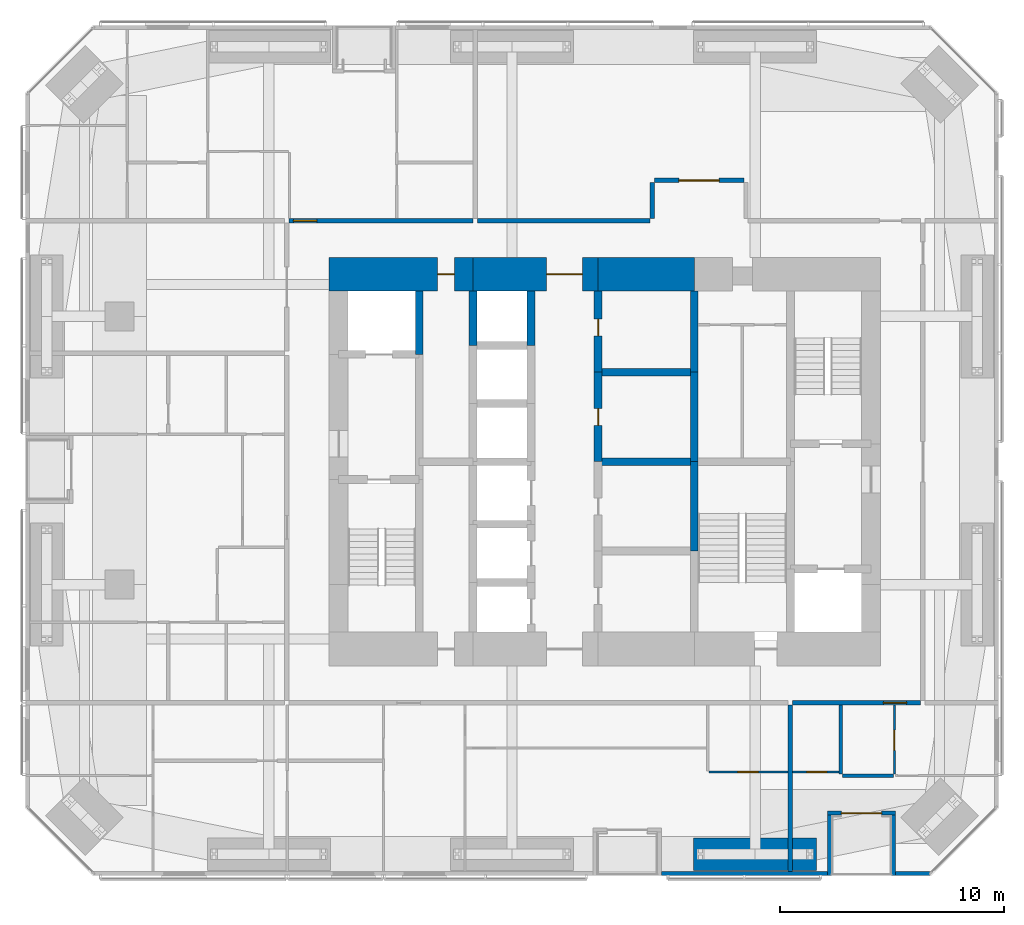
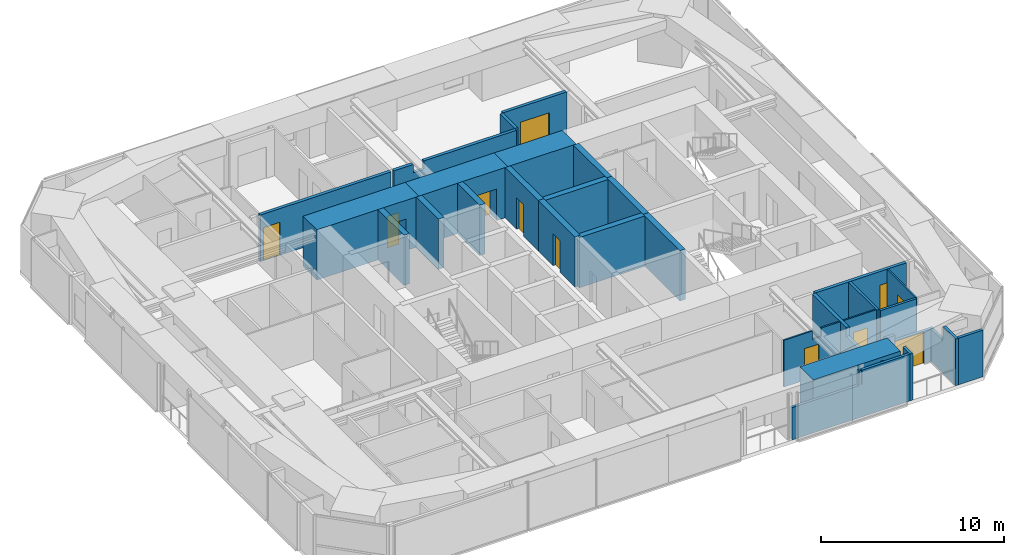
# One storey, part 20 of 24: 31 walls, 11 doors, 11 openings.
"""IFC4 building model written with IfcOpenShell, lengths in metres."""

from ifc_helpers import new_model, si_unit, direction, frame, frame_2d, origin, place, context, subcontext, project, spatial, polyline, rectangle, outline, extrude, material, layer, layer_set, constituent, constituent_set, type_object, element, fill, save


model = new_model("IFC4")

# Units and contexts
model_context = context("Model", 3, precision=1e-05, world=origin(), true_north=direction((0.0, 1.0)))
body_context = subcontext(model_context, "Body", "Model", "MODEL_VIEW")
ifc_project = project(units=[si_unit("LENGTHUNIT", "METRE"), si_unit("AREAUNIT", "SQUARE_METRE"), si_unit("VOLUMEUNIT", "CUBIC_METRE"), si_unit("PLANEANGLEUNIT", "RADIAN"), si_unit("MASSUNIT", "GRAM", prefix="KILO")], contexts=[model_context])

# Site, building, storey
site_placement = place(None, origin())
site = spatial("IfcSite", under=ifc_project, at=site_placement, CompositionType="ELEMENT")
building_placement = place(site_placement, origin())
building = spatial("IfcBuilding", under=site, at=building_placement, Name="Jalousie Tower", CompositionType="ELEMENT")
storey_placement = place(building_placement, frame((0.0, 0.0, 135.0)))
storey = spatial("IfcBuildingStorey", under=building, at=storey_placement, Name="L37", CompositionType="ELEMENT", Elevation=135.0)

# Walls
ifc_material_1 = material(Name="Concrete block ASTM C90", Category="concrete")
ifc_constituent_1 = constituent(ifc_material_1, Name="Body")
ifc_material_2 = material(Name="Render")
ifc_constituent_2 = constituent(ifc_material_2, Name="Finish")
ifc_constituent_set_1 = constituent_set(constituents=[ifc_constituent_1, ifc_constituent_2])
wall_type_1 = type_object("IfcWallType", Name="BATHROOM WALL 150", PredefinedType="PLUMBINGWALL", material=ifc_constituent_set_1)
wall_1_placement = place(storey_placement, frame((42.52490234375, 4.4638671875, 0.0), z_axis=(0.0, 0.0, 1.0), x_axis=(1.0, 0.0, 0.0)))
element("IfcWall", 1, at=wall_1_placement, inside=storey, type_object=wall_type_1, Name="Bathroom Wall 150 L37", PredefinedType="PLUMBINGWALL", context=body_context, shape_type="SweptSolid", body=[
    extrude(rectangle(XDim=2.275146484375, YDim=0.14990234375, at=frame_2d((1.1376953125, 0.0))), origin(), (0.0, 0.0, 1.0), 3.110107421875),
])
wall_2_placement = place(storey_placement, frame((42.449951171875, 4.538818359375, 0.0), z_axis=(0.0, 0.0, 1.0), x_axis=(0.0, 1.0, 0.0)))
element("IfcWall", 2, at=wall_2_placement, inside=storey, type_object=wall_type_1, Name="Bathroom Wall 150 L37", PredefinedType="PLUMBINGWALL", context=body_context, shape_type="SweptSolid", body=[
    extrude(rectangle(XDim=3.086181640625, YDim=0.14990234375, at=frame_2d((1.54296875, 0.0))), origin(), (0.0, 0.0, 1.0), 3.110107421875),
])
ifc_material_3 = material(Name="Concrete f'c 120 MPa", Category="concrete")
ifc_layer_1 = layer(ifc_material_3, 1.5)
ifc_layer_set_1 = layer_set([ifc_layer_1], Name="Concrete f'c 120 MPa")
wall_type_2 = type_object("IfcWallType", Name="CORE WALL 1500", PredefinedType="SHEAR", material=ifc_layer_set_1)
wall_3_placement = place(storey_placement, frame((35.89990234375, 26.875, 0.0), z_axis=(0.0, 0.0, 1.0), x_axis=(-1.0, 0.0, 0.0)))
element("IfcWall", 3, at=wall_3_placement, inside=storey, type_object=wall_type_2, Name="Core wall NB L37", PredefinedType="SHEAR", context=body_context, shape_type="SweptSolid", body=[
    extrude(rectangle(XDim=4.2998046875, YDim=1.5, at=frame_2d((2.14990234375, 0.0))), origin(), (0.0, 0.0, 1.0), 3.35009765625),
])

# Wall, opening, door
wall_4_placement = place(storey_placement, frame((31.60009765625, 26.875, 0.0), z_axis=(0.0, 0.0, 1.0), x_axis=(-1.0, 0.0, 0.0)))
wall_4 = element("IfcWall", 4, at=wall_4_placement, inside=storey, type_object=wall_type_2, Name="Core wall NC L37", PredefinedType="SHEAR", context=body_context, shape_type="SweptSolid", body=[
    extrude(rectangle(XDim=5.60009765625, YDim=1.5, at=frame_2d((2.800048828125, 0.0))), origin(), (0.0, 0.0, 1.0), 3.35009765625),
])
opening_1_placement = place(wall_4_placement, frame((0.699951171875, 0.0, 0.0)))
opening_1 = element("IfcOpeningElement", 5, at=opening_1_placement, cuts=wall_4, Name="Opening D15", PredefinedType="OPENING", context=body_context, shape_type="SweptSolid", body=[
    extrude(rectangle(XDim=1.60009765625, YDim=2.10009765625, at=frame_2d((0.800048828125, 1.050048828125))), frame((0.0, 0.760009765625, 0.0), z_axis=(0.0, -1.0, 0.0), x_axis=(1.0, 0.0, 0.0)), (0.0, 0.0, 1.0), 1.52001953125),
])
ifc_material_4 = material(Name="Steel fire door", Category="steel")
door_type_1 = type_object("IfcDoorType", Name="LIFT LOBBY DOOR 1600", OperationType="DOUBLE_DOOR_SINGLE_SWING", PredefinedType="DOOR", material=ifc_material_4)
door_1_placement = place(opening_1_placement, origin())
door_1 = element("IfcDoor", 6, at=door_1_placement, inside=storey, type_object=door_type_1, Name="Lift lobby north door", OperationType="DOUBLE_DOOR_SINGLE_SWING", OverallHeight=2.10009765625, OverallWidth=1.60009765625, PredefinedType="DOOR", context=body_context, shape_type="SweptSolid", body=[
    extrude(rectangle(XDim=1.60009765625, YDim=2.10009765625, at=frame_2d((0.800048828125, 1.050048828125))), frame((0.0, 0.02490234375, 0.0), z_axis=(0.0, -1.0, 0.0), x_axis=(1.0, 0.0, 0.0)), (0.0, 0.0, 1.0), 0.050048828125),
])
fill(opening_1, door_1)

wall_5_placement = place(storey_placement, frame((26.0, 26.875, 0.0), z_axis=(0.0, 0.0, 1.0), x_axis=(-1.0, 0.0, 0.0)))
wall_5 = element("IfcWall", 7, at=wall_5_placement, inside=storey, type_object=wall_type_2, Name="Core wall ND L37", PredefinedType="SHEAR", context=body_context, shape_type="SweptSolid", body=[
    extrude(rectangle(XDim=6.425048828125, YDim=1.5, at=frame_2d((3.21240234375, 0.0))), origin(), (0.0, 0.0, 1.0), 3.35009765625),
])
opening_2_placement = place(wall_5_placement, frame((0.824951171875, 0.0, 0.0)))
opening_2 = element("IfcOpeningElement", 8, at=opening_2_placement, cuts=wall_5, Name="Opening D16", PredefinedType="OPENING", context=body_context, shape_type="SweptSolid", body=[
    extrude(rectangle(XDim=0.75, YDim=2.10009765625, at=frame_2d((0.375, 1.050048828125))), frame((0.0, 0.760009765625, 0.0), z_axis=(0.0, -1.0, 0.0), x_axis=(1.0, 0.0, 0.0)), (0.0, 0.0, 1.0), 1.52001953125),
])
ifc_material_5 = material(Name="Steel fire door", Category="steel")
door_type_2 = type_object("IfcDoorType", Name="RISER DOOR 750", OperationType="SINGLE_SWING_LEFT", PredefinedType="DOOR", material=ifc_material_5)
door_2_placement = place(opening_2_placement, origin())
door_2 = element("IfcDoor", 9, at=door_2_placement, inside=storey, type_object=door_type_2, Name="North riser door", OperationType="SINGLE_SWING_RIGHT", OverallHeight=2.10009765625, OverallWidth=0.75, PredefinedType="DOOR", context=body_context, shape_type="SweptSolid", body=[
    extrude(rectangle(XDim=0.75, YDim=2.10009765625, at=frame_2d((0.375, 1.050048828125))), frame((0.0, 0.02490234375, 0.0), z_axis=(0.0, -1.0, 0.0), x_axis=(1.0, 0.0, 0.0)), (0.0, 0.0, 1.0), 0.050048828125),
])
fill(opening_2, door_2)

# Walls
ifc_material_6 = material(Name="Concrete f'c 120 MPa", Category="concrete")
ifc_layer_2 = layer(ifc_material_6, 0.35009765625)
ifc_layer_set_2 = layer_set([ifc_layer_2], Name="Concrete f'c 120 MPa")
wall_type_3 = type_object("IfcWallType", Name="CORE WALL 350", PredefinedType="SHEAR", material=ifc_layer_set_2)
wall_6_placement = place(storey_placement, frame((23.60009765625, 23.300048828125, 0.0), z_axis=(0.0, 0.0, 1.0), x_axis=(0.0, 1.0, 0.0)))
element("IfcWall", 10, at=wall_6_placement, inside=storey, type_object=wall_type_3, Name="Core wall X23.6C L37", PredefinedType="SHEAR", context=body_context, shape_type="SweptSolid", body=[
    extrude(rectangle(XDim=2.824951171875, YDim=0.35009765625, at=frame_2d((1.41259765625, 0.0))), origin(), (0.0, 0.0, 1.0), 3.35009765625),
])
for number, where, z_axis, x_axis, name in (
    (11, (26.0, 23.699951171875, 0.0), (0.0, 0.0, 1.0), (0.0, 1.0, 0.0), "Core wall X26F L37"),
    (12, (28.60009765625, 23.699951171875, 0.0), (0.0, 0.0, 1.0), (0.0, 1.0, 0.0), "Core wall X28.6F L37"),
):
    element("IfcWall", number, at=place(storey_placement, frame(where, z_axis=z_axis, x_axis=x_axis)), inside=storey, type_object=wall_type_3, Name=name, PredefinedType="SHEAR", context=body_context, shape_type="SweptSolid", body=[
        extrude(rectangle(XDim=2.425048828125, YDim=0.35009765625, at=frame_2d((1.21240234375, 0.0))), origin(), (0.0, 0.0, 1.0), 3.35009765625),
    ])

# Wall, opening, door
wall_7_placement = place(storey_placement, frame((31.60009765625, 18.5, 0.0), z_axis=(0.0, 0.0, 1.0), x_axis=(0.0, 1.0, 0.0)))
wall_7 = element("IfcWall", 13, at=wall_7_placement, inside=storey, type_object=wall_type_3, Name="Core wall X31.6C L37", PredefinedType="SHEAR", context=body_context, shape_type="SweptSolid", body=[
    extrude(rectangle(XDim=4.0, YDim=0.35009765625, at=frame_2d((2.0, 0.0))), origin(), (0.0, 0.0, 1.0), 3.35009765625),
])
opening_3_placement = place(wall_7_placement, frame((1.625, 0.0, 0.0)))
opening_3 = element("IfcOpeningElement", 14, at=opening_3_placement, cuts=wall_7, Name="Opening D16", PredefinedType="OPENING", context=body_context, shape_type="SweptSolid", body=[
    extrude(rectangle(XDim=0.75, YDim=2.10009765625, at=frame_2d((0.375, 1.050048828125))), frame((0.0, 0.18505859375, 0.0), z_axis=(0.0, -1.0, 0.0), x_axis=(1.0, 0.0, 0.0)), (0.0, 0.0, 1.0), 0.3701171875),
])
door_3_placement = place(opening_3_placement, frame((0.75, 0.0, 0.0), z_axis=(0.0, 0.0, 1.0), x_axis=(-1.0, 0.0, 0.0)))
door_3 = element("IfcDoor", 15, at=door_3_placement, inside=storey, type_object=door_type_2, Name="Telecom Room door", OperationType="SINGLE_SWING_RIGHT", OverallHeight=2.10009765625, OverallWidth=0.75, PredefinedType="DOOR", context=body_context, shape_type="SweptSolid", body=[
    extrude(rectangle(XDim=0.75, YDim=2.10009765625, at=frame_2d((0.375, 1.050048828125))), frame((0.0, 0.02490234375, 0.0), z_axis=(0.0, -1.0, 0.0), x_axis=(1.0, 0.0, 0.0)), (0.0, 0.0, 1.0), 0.050048828125),
])
fill(opening_3, door_3)

wall_8_placement = place(storey_placement, frame((31.60009765625, 22.5, 0.0), z_axis=(0.0, 0.0, 1.0), x_axis=(0.0, 1.0, 0.0)))
wall_8 = element("IfcWall", 16, at=wall_8_placement, inside=storey, type_object=wall_type_3, Name="Core wall X31.6D L37", PredefinedType="SHEAR", context=body_context, shape_type="SweptSolid", body=[
    extrude(rectangle(XDim=3.625, YDim=0.35009765625, at=frame_2d((1.8125, 0.0))), origin(), (0.0, 0.0, 1.0), 3.35009765625),
])
opening_4_placement = place(wall_8_placement, frame((1.625, 0.0, 0.0)))
opening_4 = element("IfcOpeningElement", 17, at=opening_4_placement, cuts=wall_8, Name="Opening D16", PredefinedType="OPENING", context=body_context, shape_type="SweptSolid", body=[
    extrude(rectangle(XDim=0.75, YDim=2.10009765625, at=frame_2d((0.375, 1.050048828125))), frame((0.0, 0.18505859375, 0.0), z_axis=(0.0, -1.0, 0.0), x_axis=(1.0, 0.0, 0.0)), (0.0, 0.0, 1.0), 0.3701171875),
])
door_4_placement = place(opening_4_placement, frame((0.75, 0.0, 0.0), z_axis=(0.0, 0.0, 1.0), x_axis=(-1.0, 0.0, 0.0)))
door_4 = element("IfcDoor", 18, at=door_4_placement, inside=storey, type_object=door_type_2, Name="Water Services Room door", OperationType="SINGLE_SWING_LEFT", OverallHeight=2.10009765625, OverallWidth=0.75, PredefinedType="DOOR", context=body_context, shape_type="SweptSolid", body=[
    extrude(rectangle(XDim=0.75, YDim=2.10009765625, at=frame_2d((0.375, 1.050048828125))), frame((0.0, 0.02490234375, 0.0), z_axis=(0.0, -1.0, 0.0), x_axis=(1.0, 0.0, 0.0)), (0.0, 0.0, 1.0), 0.050048828125),
])
fill(opening_4, door_4)

# Walls
for number, where, z_axis, x_axis, name in (
    (19, (35.89990234375, 14.5, 0.0), (0.0, 0.0, 1.0), (0.0, 1.0, 0.0), "Core wall X35.9B L37"),
    (20, (35.89990234375, 18.5, 0.0), (0.0, 0.0, 1.0), (0.0, 1.0, 0.0), "Core wall X35.9C L37"),
):
    element("IfcWall", number, at=place(storey_placement, frame(where, z_axis=z_axis, x_axis=x_axis)), inside=storey, type_object=wall_type_3, Name=name, PredefinedType="SHEAR", context=body_context, shape_type="SweptSolid", body=[
        extrude(rectangle(XDim=4.0, YDim=0.35009765625, at=frame_2d((2.0, 0.0))), origin(), (0.0, 0.0, 1.0), 3.35009765625),
    ])
wall_9_placement = place(storey_placement, frame((35.89990234375, 22.5, 0.0), z_axis=(0.0, 0.0, 1.0), x_axis=(0.0, 1.0, 0.0)))
element("IfcWall", 21, at=wall_9_placement, inside=storey, type_object=wall_type_3, Name="Core wall X35.9D L37", PredefinedType="SHEAR", context=body_context, shape_type="SweptSolid", body=[
    extrude(rectangle(XDim=3.625, YDim=0.35009765625, at=frame_2d((1.8125, 0.0))), origin(), (0.0, 0.0, 1.0), 3.35009765625),
])
for number, where, z_axis, x_axis, name in (
    (22, (31.60009765625, 18.5, 0.0), (0.0, 0.0, 1.0), (1.0, 0.0, 0.0), "Core wall Y31.6-18.5 L37"),
    (23, (31.60009765625, 22.5, 0.0), (0.0, 0.0, 1.0), (1.0, 0.0, 0.0), "Core wall Y31.6-22.5 L37"),
):
    element("IfcWall", number, at=place(storey_placement, frame(where, z_axis=z_axis, x_axis=x_axis)), inside=storey, type_object=wall_type_3, Name=name, PredefinedType="SHEAR", context=body_context, shape_type="SweptSolid", body=[
        extrude(rectangle(XDim=4.2998046875, YDim=0.35009765625, at=frame_2d((2.14990234375, 0.0))), origin(), (0.0, 0.0, 1.0), 3.35009765625),
    ])

# Wall, opening, door
ifc_material_7 = material(Name="Concrete block ASTM C90", Category="concrete")
ifc_constituent_3 = constituent(ifc_material_7, Name="Body")
ifc_material_8 = material(Name="Render")
ifc_constituent_4 = constituent(ifc_material_8, Name="Finish")
ifc_constituent_set_2 = constituent_set(constituents=[ifc_constituent_3, ifc_constituent_4])
wall_type_4 = type_object("IfcWallType", Name="CORRIDOR WALL 200", PredefinedType="PARTITIONING", material=ifc_constituent_set_2)
wall_10_placement = place(storey_placement, frame((40.300048828125, 7.72509765625, 0.0), z_axis=(0.0, 0.0, 1.0), x_axis=(1.0, 0.0, 0.0)))
wall_10 = element("IfcWall", 24, at=wall_10_placement, inside=storey, type_object=wall_type_4, Name="Corridor Wall 200 L37", PredefinedType="PARTITIONING", context=body_context, shape_type="SweptSolid", body=[
    extrude(rectangle(XDim=5.724853515625, YDim=0.199951171875, at=frame_2d((2.8623046875, 0.0))), origin(), (0.0, 0.0, 1.0), 3.110107421875),
])
opening_5_placement = place(wall_10_placement, frame((4.050048828125, 0.0, 0.0)))
opening_5 = element("IfcOpeningElement", 25, at=opening_5_placement, cuts=wall_10, Name="Opening D1", PredefinedType="OPENING", context=body_context, shape_type="SweptSolid", body=[
    extrude(rectangle(XDim=1.050048828125, YDim=2.199951171875, at=frame_2d((0.52490234375, 1.10009765625))), frame((0.0, 0.10986328125, 0.0), z_axis=(0.0, -1.0, 0.0), x_axis=(1.0, 0.0, 0.0)), (0.0, 0.0, 1.0), 0.219970703125),
])
ifc_material_9 = material(Name="Timber fire door", Category="wood")
door_type_3 = type_object("IfcDoorType", Name="APARTMENT ENTRANCE DOOR 1050", OperationType="SINGLE_SWING_LEFT", PredefinedType="DOOR", material=ifc_material_9)
door_5_placement = place(opening_5_placement, origin())
door_5 = element("IfcDoor", 26, at=door_5_placement, inside=storey, type_object=door_type_3, Name="Apartment 3702 entrance", OperationType="SINGLE_SWING_RIGHT", OverallHeight=2.199951171875, OverallWidth=1.050048828125, PredefinedType="DOOR", context=body_context, shape_type="SweptSolid", body=[
    extrude(rectangle(XDim=1.050048828125, YDim=2.199951171875, at=frame_2d((0.52490234375, 1.10009765625))), frame((0.0, 0.02490234375, 0.0), z_axis=(0.0, -1.0, 0.0), x_axis=(1.0, 0.0, 0.0)), (0.0, 0.0, 1.0), 0.050048828125),
])
fill(opening_5, door_5)

wall_11_placement = place(storey_placement, frame((17.77490234375, 29.27490234375, 0.0), z_axis=(0.0, 0.0, 1.0), x_axis=(1.0, 0.0, 0.0)))
wall_11 = element("IfcWall", 27, at=wall_11_placement, inside=storey, type_object=wall_type_4, Name="Corridor Wall 200 L37", PredefinedType="PARTITIONING", context=body_context, shape_type="SweptSolid", body=[
    extrude(rectangle(XDim=8.22509765625, YDim=0.199951171875, at=frame_2d((4.112548828125, 0.0))), origin(), (0.0, 0.0, 1.0), 3.110107421875),
])
opening_6_placement = place(wall_11_placement, frame((0.199951171875, 0.0, 0.0)))
opening_6 = element("IfcOpeningElement", 28, at=opening_6_placement, cuts=wall_11, Name="Opening D1", PredefinedType="OPENING", context=body_context, shape_type="SweptSolid", body=[
    extrude(rectangle(XDim=1.050048828125, YDim=2.199951171875, at=frame_2d((0.52490234375, 1.10009765625))), frame((0.0, 0.10986328125, 0.0), z_axis=(0.0, -1.0, 0.0), x_axis=(1.0, 0.0, 0.0)), (0.0, 0.0, 1.0), 0.219970703125),
])
door_6_placement = place(opening_6_placement, origin())
door_6 = element("IfcDoor", 29, at=door_6_placement, inside=storey, type_object=door_type_3, Name="Apartment 3703 entrance", OperationType="SINGLE_SWING_LEFT", OverallHeight=2.199951171875, OverallWidth=1.050048828125, PredefinedType="DOOR", context=body_context, shape_type="SweptSolid", body=[
    extrude(rectangle(XDim=1.050048828125, YDim=2.199951171875, at=frame_2d((0.52490234375, 1.10009765625))), frame((0.0, 0.02490234375, 0.0), z_axis=(0.0, -1.0, 0.0), x_axis=(1.0, 0.0, 0.0)), (0.0, 0.0, 1.0), 0.050048828125),
])
fill(opening_6, door_6)

# Wall
wall_12_placement = place(storey_placement, frame((26.199951171875, 29.27490234375, 0.0), z_axis=(0.0, 0.0, 1.0), x_axis=(1.0, 0.0, 0.0)))
element("IfcWall", 30, at=wall_12_placement, inside=storey, type_object=wall_type_4, Name="Corridor Wall 200 L37", PredefinedType="PARTITIONING", context=body_context, shape_type="SweptSolid", body=[
    extrude(outline(polyline([(0.0, 0.0), (7.712646484375, 0.0), (7.71240234375, 3.110107421875), (1.88720703125, 3.110107421875), (1.88720703125, 2.541015625), (1.212646484375, 2.541015625), (1.212646484375, 3.110107421875), (0.0, 3.110107421875), (0.0, 0.0)])), frame((0.0, 0.10009765625, 0.0), z_axis=(0.0, -1.0, 0.0), x_axis=(1.0, 0.0, 0.0)), (0.0, 0.0, 1.0), 0.199951171875),
])

# Wall, opening, door
wall_13_placement = place(storey_placement, frame((34.112548828125, 31.074951171875, 0.0), z_axis=(0.0, 0.0, 1.0), x_axis=(1.0, 0.0, 0.0)))
wall_13 = element("IfcWall", 31, at=wall_13_placement, inside=storey, type_object=wall_type_4, Name="Corridor Wall 200 L37", PredefinedType="PARTITIONING", context=body_context, shape_type="SweptSolid", body=[
    extrude(rectangle(XDim=4.0, YDim=0.199951171875, at=frame_2d((2.0, 0.0))), origin(), (0.0, 0.0, 1.0), 3.110107421875),
])
opening_7_placement = place(wall_13_placement, frame((1.10009765625, 0.0, 0.0)))
opening_7 = element("IfcOpeningElement", 32, at=opening_7_placement, cuts=wall_13, Name="Opening D22", PredefinedType="OPENING", context=body_context, shape_type="SweptSolid", body=[
    extrude(rectangle(XDim=1.800048828125, YDim=2.10009765625, at=frame_2d((0.89990234375, 1.050048828125))), frame((0.0, 0.10986328125, 0.0), z_axis=(0.0, -1.0, 0.0), x_axis=(1.0, 0.0, 0.0)), (0.0, 0.0, 1.0), 0.219970703125),
])
ifc_material_10 = material(Name="Timber fire door", Category="wood")
door_type_4 = type_object("IfcDoorType", Name="CORRIDOR DOUBLE DOOR 1800", OperationType="DOUBLE_DOOR_SINGLE_SWING", PredefinedType="DOOR", material=ifc_material_10)
door_7_placement = place(opening_7_placement, origin())
door_7 = element("IfcDoor", 33, at=door_7_placement, inside=storey, type_object=door_type_4, Name="Residents' bay-view lounge door", OperationType="DOUBLE_DOOR_SINGLE_SWING", OverallHeight=2.10009765625, OverallWidth=1.800048828125, PredefinedType="DOOR", context=body_context, shape_type="SweptSolid", body=[
    extrude(rectangle(XDim=1.800048828125, YDim=2.10009765625, at=frame_2d((0.89990234375, 1.050048828125))), frame((0.0, 0.02490234375, 0.0), z_axis=(0.0, -1.0, 0.0), x_axis=(1.0, 0.0, 0.0)), (0.0, 0.0, 1.0), 0.050048828125),
])
fill(opening_7, door_7)

# Walls
wall_14_placement = place(storey_placement, frame((34.012451171875, 29.375, 0.0), z_axis=(0.0, 0.0, 1.0), x_axis=(0.0, 1.0, 0.0)))
element("IfcWall", 34, at=wall_14_placement, inside=storey, type_object=wall_type_4, Name="Corridor Wall 200 L37", PredefinedType="PARTITIONING", context=body_context, shape_type="SweptSolid", body=[
    extrude(rectangle(XDim=1.60009765625, YDim=0.199951171875, at=frame_2d((0.800048828125, 0.0))), origin(), (0.0, 0.0, 1.0), 3.110107421875),
])
ifc_material_11 = material(Name="Concrete f'c 40 MPa", Category="concrete")
ifc_constituent_5 = constituent(ifc_material_11, Name="Body")
ifc_material_12 = material(Name="Render, pastel sea green")
ifc_constituent_6 = constituent(ifc_material_12, Name="Finish")
ifc_constituent_set_3 = constituent_set(constituents=[ifc_constituent_5, ifc_constituent_6])
wall_type_5 = type_object("IfcWallType", Name="EXTERNAL WALL 175 SEA GREEN RENDER", PredefinedType="SOLIDWALL", material=ifc_constituent_set_3)
wall_15_placement = place(storey_placement, frame((34.425048828125, 0.08740234375, 0.0), z_axis=(0.0, 0.0, 1.0), x_axis=(1.0, 0.0, 0.0)))
element("IfcWall", 35, at=wall_15_placement, inside=storey, type_object=wall_type_5, Name="External Wall 175 Sea Green Render L37", PredefinedType="SOLIDWALL", context=body_context, shape_type="SweptSolid", body=[
    extrude(outline(polyline([(0.0, 0.0), (7.425048828125, 0.0), (7.425048828125, 3.110107421875), (4.4033203125, 3.110107421875), (4.4033203125, 2.14990234375), (4.358154296875, 2.14990234375), (4.358154296875, 3.110107421875), (4.199951171875, 3.110107421875), (4.199951171875, 2.14990234375), (0.0, 2.14990234375), (0.0, 0.0)])), frame((0.0, 0.08740234375, 0.0), z_axis=(0.0, -1.0, 0.0), x_axis=(1.0, 0.0, 0.0)), (0.0, 0.0, 1.0), 0.175048828125),
])
wall_16_placement = place(storey_placement, frame((44.89990234375, 0.08740234375, 0.0), z_axis=(0.0, 0.0, 1.0), x_axis=(1.0, 0.0, 0.0)))
element("IfcWall", 36, at=wall_16_placement, inside=storey, type_object=wall_type_5, Name="External Wall 175 Sea Green Render L37", PredefinedType="SOLIDWALL", context=body_context, shape_type="SweptSolid", body=[
    extrude(rectangle(XDim=1.548828125, YDim=0.175048828125, at=frame_2d((0.7744140625, 0.0))), origin(), (0.0, 0.0, 1.0), 3.110107421875),
])
wall_17_placement = place(storey_placement, frame((41.85009765625, 2.78759765625, 0.0), z_axis=(0.0, 0.0, 1.0), x_axis=(1.0, 0.0, 0.0)))
element("IfcWall", 37, at=wall_17_placement, inside=storey, type_object=wall_type_5, Name="External Wall 175 Sea Green Render L37-A", PredefinedType="SOLIDWALL", context=body_context, shape_type="SweptSolid", body=[
    extrude(rectangle(XDim=0.625, YDim=0.175048828125, at=frame_2d((0.3125, 0.0))), origin(), (0.0, 0.0, 1.0), 2.510009765625),
])

# Wall, opening, door
wall_18_placement = place(storey_placement, frame((42.47509765625, 2.78759765625, 0.0), z_axis=(0.0, 0.0, 1.0), x_axis=(1.0, 0.0, 0.0)))
wall_18 = element("IfcWall", 38, at=wall_18_placement, inside=storey, type_object=wall_type_5, Name="External Wall 175 Sea Green Render L37-B", PredefinedType="SOLIDWALL", context=body_context, shape_type="SweptSolid", body=[
    extrude(rectangle(XDim=2.4248046875, YDim=0.175048828125, at=frame_2d((1.21240234375, 0.0))), origin(), (0.0, 0.0, 1.0), 2.14990234375),
])
opening_8_placement = place(wall_18_placement, origin())
opening_8 = element("IfcOpeningElement", 39, at=opening_8_placement, cuts=wall_18, Name="Opening D-BAL21", PredefinedType="OPENING", context=body_context, shape_type="SweptSolid", body=[
    extrude(rectangle(XDim=1.800048828125, YDim=2.10009765625, at=frame_2d((0.89990234375, 1.050048828125))), frame((0.0, 0.097412109375, 0.0), z_axis=(0.0, -1.0, 0.0), x_axis=(1.0, 0.0, 0.0)), (0.0, 0.0, 1.0), 0.195068359375),
])
ifc_material_13 = material(Name="Aluminium frame, impact-rated glazing", Category="aluminium")
door_type_5 = type_object("IfcDoorType", Name="BALCONY DOOR 1800x2100", OperationType="SLIDING_TO_LEFT", PredefinedType="DOOR", material=ifc_material_13)
door_8_placement = place(opening_8_placement, origin())
door_8 = element("IfcDoor", 40, at=door_8_placement, inside=storey, type_object=door_type_5, Name="Apartment 3702 living and dining room loggia door", OperationType="SLIDING_TO_LEFT", OverallHeight=2.10009765625, OverallWidth=1.800048828125, PredefinedType="DOOR", context=body_context, shape_type="SweptSolid", body=[
    extrude(rectangle(XDim=1.800048828125, YDim=2.10009765625, at=frame_2d((0.89990234375, 1.050048828125))), frame((0.0, 0.02490234375, 0.0), z_axis=(0.0, -1.0, 0.0), x_axis=(1.0, 0.0, 0.0)), (0.0, 0.0, 1.0), 0.050048828125),
])
fill(opening_8, door_8)

# Walls
wall_19_placement = place(storey_placement, frame((41.9375, 0.0, 0.0), z_axis=(0.0, 0.0, 1.0), x_axis=(0.0, 1.0, 0.0)))
element("IfcWall", 41, at=wall_19_placement, inside=storey, type_object=wall_type_5, Name="External Wall 175 Sea Green Render L37", PredefinedType="SOLIDWALL", context=body_context, shape_type="SweptSolid", body=[
    extrude(outline(polyline([(0.0, 0.0), (2.699951171875, 0.0), (2.699951171875, 2.510009765625), (2.4599609375, 2.510009765625), (2.4599609375, 2.14990234375), (0.791259765625, 2.14990234375), (0.791259765625, 3.110107421875), (0.0, 3.110107421875), (0.0, 0.0)])), frame((0.0, 0.08740234375, 0.0), z_axis=(0.0, -1.0, 0.0), x_axis=(1.0, 0.0, 0.0)), (0.0, 0.0, 1.0), 0.175048828125),
])
wall_20_placement = place(storey_placement, frame((44.8125, 0.0, 0.0), z_axis=(0.0, 0.0, 1.0), x_axis=(0.0, 1.0, 0.0)))
element("IfcWall", 42, at=wall_20_placement, inside=storey, type_object=wall_type_5, Name="External Wall 175 Sea Green Render L37", PredefinedType="SOLIDWALL", context=body_context, shape_type="SweptSolid", body=[
    extrude(outline(polyline([(0.0, 0.0), (2.699951171875, 0.0), (2.699951171875, 2.14990234375), (1.377685546875, 2.14990234375), (1.377685546875, 3.110107421875), (0.0, 3.110107421875), (0.0, 0.0)])), frame((0.0, 0.08740234375, 0.0), z_axis=(0.0, -1.0, 0.0), x_axis=(1.0, 0.0, 0.0)), (0.0, 0.0, 1.0), 0.175048828125),
])

# Wall, opening, door
ifc_material_14 = material(Name="Gypsum board", Category="gypsum")
ifc_constituent_7 = constituent(ifc_material_14, Name="Body")
ifc_material_15 = material(Name="Light-gauge steel studs ASTM A653 SS Grade 33", Category="steel")
ifc_constituent_8 = constituent(ifc_material_15, Name="Framing")
ifc_constituent_set_4 = constituent_set(constituents=[ifc_constituent_7, ifc_constituent_8])
wall_type_6 = type_object("IfcWallType", Name="PARTITION 100", PredefinedType="PARTITIONING", material=ifc_constituent_set_4)
wall_21_placement = place(storey_placement, frame((36.550048828125, 4.625, 0.0), z_axis=(0.0, 0.0, 1.0), x_axis=(1.0, 0.0, 0.0)))
wall_21 = element("IfcWall", 43, at=wall_21_placement, inside=storey, type_object=wall_type_6, Name="Partition 100 L37", PredefinedType="PARTITIONING", context=body_context, shape_type="SweptSolid", body=[
    extrude(outline(polyline([(0.0, 0.0), (3.550048828125, 0.0), (3.550048828125, 3.110107421875), (2.3623046875, 3.110107421875), (2.3623046875, 2.541015625), (1.78759765625, 2.541015625), (1.78759765625, 3.110107421875), (0.0, 3.110107421875), (0.0, 0.0)])), frame((0.0, 0.050048828125, 0.0), z_axis=(0.0, -1.0, 0.0), x_axis=(1.0, 0.0, 0.0)), (0.0, 0.0, 1.0), 0.10009765625),
])
opening_9_placement = place(wall_21_placement, frame((1.300048828125, 0.0, 0.0)))
opening_9 = element("IfcOpeningElement", 44, at=opening_9_placement, cuts=wall_21, Name="Opening D7", PredefinedType="OPENING", context=body_context, shape_type="SweptSolid", body=[
    extrude(rectangle(XDim=0.89990234375, YDim=2.10009765625, at=frame_2d((0.449951171875, 1.050048828125))), frame((0.0, 0.06005859375, 0.0), z_axis=(0.0, -1.0, 0.0), x_axis=(1.0, 0.0, 0.0)), (0.0, 0.0, 1.0), 0.1201171875),
])
ifc_material_16 = material(Name="Timber door", Category="wood")
door_type_6 = type_object("IfcDoorType", Name="INTERNAL DOOR 900", OperationType="SINGLE_SWING_LEFT", PredefinedType="DOOR", material=ifc_material_16)
door_9_placement = place(opening_9_placement, frame((0.89990234375, 0.0, 0.0), z_axis=(0.0, 0.0, 1.0), x_axis=(-1.0, 0.0, 0.0)))
door_9 = element("IfcDoor", 45, at=door_9_placement, inside=storey, type_object=door_type_6, Name="Apartment 3701 kitchen door", OperationType="SINGLE_SWING_LEFT", OverallHeight=2.10009765625, OverallWidth=0.89990234375, PredefinedType="DOOR", context=body_context, shape_type="SweptSolid", body=[
    extrude(rectangle(XDim=0.89990234375, YDim=2.10009765625, at=frame_2d((0.449951171875, 1.050048828125))), frame((0.0, 0.02490234375, 0.0), z_axis=(0.0, -1.0, 0.0), x_axis=(1.0, 0.0, 0.0)), (0.0, 0.0, 1.0), 0.050048828125),
])
fill(opening_9, door_9)

wall_22_placement = place(storey_placement, frame((44.85009765625, 4.538818359375, 0.0), z_axis=(0.0, 0.0, 1.0), x_axis=(0.0, 1.0, 0.0)))
wall_22 = element("IfcWall", 46, at=wall_22_placement, inside=storey, type_object=wall_type_6, Name="Partition 100 L37", PredefinedType="PARTITIONING", context=body_context, shape_type="SweptSolid", body=[
    extrude(rectangle(XDim=3.086181640625, YDim=0.10009765625, at=frame_2d((1.54296875, 0.0))), origin(), (0.0, 0.0, 1.0), 3.110107421875),
])
opening_10_placement = place(wall_22_placement, frame((1.0556640625, 0.0, 0.0)))
opening_10 = element("IfcOpeningElement", 47, at=opening_10_placement, cuts=wall_22, Name="Opening D3", PredefinedType="OPENING", context=body_context, shape_type="SweptSolid", body=[
    extrude(rectangle(XDim=0.89990234375, YDim=2.10009765625, at=frame_2d((0.449951171875, 1.050048828125))), frame((0.0, 0.06005859375, 0.0), z_axis=(0.0, -1.0, 0.0), x_axis=(1.0, 0.0, 0.0)), (0.0, 0.0, 1.0), 0.1201171875),
])
ifc_material_17 = material(Name="Timber door", Category="wood")
door_type_7 = type_object("IfcDoorType", Name="BATHROOM DOOR 900", OperationType="SINGLE_SWING_LEFT", PredefinedType="DOOR", material=ifc_material_17)
door_10_placement = place(opening_10_placement, origin())
door_10 = element("IfcDoor", 48, at=door_10_placement, inside=storey, type_object=door_type_7, Name="Apartment 3702 bedroom 1 bathroom door", OperationType="SINGLE_SWING_LEFT", OverallHeight=2.10009765625, OverallWidth=0.89990234375, PredefinedType="DOOR", context=body_context, shape_type="SweptSolid", body=[
    extrude(rectangle(XDim=0.89990234375, YDim=2.10009765625, at=frame_2d((0.449951171875, 1.050048828125))), frame((0.0, 0.02490234375, 0.0), z_axis=(0.0, -1.0, 0.0), x_axis=(1.0, 0.0, 0.0)), (0.0, 0.0, 1.0), 0.050048828125),
])
fill(opening_10, door_10)

wall_23_placement = place(storey_placement, frame((40.300048828125, 4.625, 0.0), z_axis=(0.0, 0.0, 1.0), x_axis=(1.0, 0.0, 0.0)))
wall_23 = element("IfcWall", 49, at=wall_23_placement, inside=storey, type_object=wall_type_6, Name="Partition 100 L37", PredefinedType="PARTITIONING", context=body_context, shape_type="SweptSolid", body=[
    extrude(rectangle(XDim=2.074951171875, YDim=0.10009765625, at=frame_2d((1.03759765625, 0.0))), origin(), (0.0, 0.0, 1.0), 3.110107421875),
])
opening_11_placement = place(wall_23_placement, frame((0.625, 0.0, 0.0)))
opening_11 = element("IfcOpeningElement", 50, at=opening_11_placement, cuts=wall_23, Name="Opening D7", PredefinedType="OPENING", context=body_context, shape_type="SweptSolid", body=[
    extrude(rectangle(XDim=0.89990234375, YDim=2.10009765625, at=frame_2d((0.449951171875, 1.050048828125))), frame((0.0, 0.06005859375, 0.0), z_axis=(0.0, -1.0, 0.0), x_axis=(1.0, 0.0, 0.0)), (0.0, 0.0, 1.0), 0.1201171875),
])
door_11_placement = place(opening_11_placement, frame((0.89990234375, 0.0, 0.0), z_axis=(0.0, 0.0, 1.0), x_axis=(-1.0, 0.0, 0.0)))
door_11 = element("IfcDoor", 51, at=door_11_placement, inside=storey, type_object=door_type_6, Name="Apartment 3702 kitchen door", OperationType="SINGLE_SWING_RIGHT", OverallHeight=2.10009765625, OverallWidth=0.89990234375, PredefinedType="DOOR", context=body_context, shape_type="SweptSolid", body=[
    extrude(rectangle(XDim=0.89990234375, YDim=2.10009765625, at=frame_2d((0.449951171875, 1.050048828125))), frame((0.0, 0.02490234375, 0.0), z_axis=(0.0, -1.0, 0.0), x_axis=(1.0, 0.0, 0.0)), (0.0, 0.0, 1.0), 0.050048828125),
])
fill(opening_11, door_11)

# Walls
ifc_material_18 = material(Name="Concrete block ASTM C90", Category="concrete")
ifc_constituent_9 = constituent(ifc_material_18, Name="Body")
ifc_material_19 = material(Name="Render")
ifc_constituent_10 = constituent(ifc_material_19, Name="Finish")
ifc_constituent_set_5 = constituent_set(constituents=[ifc_constituent_9, ifc_constituent_10])
wall_type_7 = type_object("IfcWallType", Name="PARTY WALL 200", PredefinedType="PARTITIONING", material=ifc_constituent_set_5)
wall_24_placement = place(storey_placement, frame((40.199951171875, 0.175048828125, 0.0), z_axis=(0.0, 0.0, 1.0), x_axis=(0.0, 1.0, 0.0)))
element("IfcWall", 52, at=wall_24_placement, inside=storey, type_object=wall_type_7, Name="Party Wall 200 L37", PredefinedType="PARTITIONING", context=body_context, shape_type="SweptSolid", body=[
    extrude(outline(polyline([(0.16748046875, 3.110107421875), (0.0, 3.110107421875), (0.0, 0.0), (0.52880859375, 0.0), (0.52880859375, 0.42724609375), (1.021240234375, 0.42724609375), (1.021240234375, 0.0), (7.449951171875, 0.0), (7.449951171875, 3.110107421875), (3.766357421875, 3.110107421875), (3.766357421875, 2.510009765625), (2.02490234375, 2.510009765625), (2.02490234375, 2.14990234375), (1.021240234375, 2.14990234375), (1.021240234375, 1.72265625), (0.52880859375, 1.72265625), (0.52880859375, 2.14990234375), (0.16748046875, 2.14990234375), (0.16748046875, 3.110107421875)])), frame((0.0, 0.10009765625, 0.0), z_axis=(0.0, -1.0, 0.0), x_axis=(1.0, 0.0, 0.0)), (0.0, 0.0, 1.0), 0.199951171875),
])
ifc_material_20 = material(Name="Concrete f'c 120 MPa", Category="concrete")
ifc_layer_3 = layer(ifc_material_20, 1.449951171875)
ifc_layer_set_3 = layer_set([ifc_layer_3], Name="Concrete f'c 120 MPa")
wall_type_8 = type_object("IfcWallType", Name="RC WALL PIER 1450", PredefinedType="SHEAR", material=ifc_layer_set_3)
wall_25_placement = place(storey_placement, frame((35.875, 0.949951171875, 0.0), z_axis=(0.0, 0.0, 1.0), x_axis=(1.0, 0.0, 0.0)))
element("IfcWall", 53, at=wall_25_placement, inside=storey, type_object=wall_type_8, Name="Wall pier 04 L37", PredefinedType="SHEAR", context=body_context, shape_type="SweptSolid", body=[
    extrude(rectangle(XDim=5.5, YDim=1.449951171875, at=frame_2d((2.75, 0.0))), origin(), (0.0, 0.0, 1.0), 3.35009765625),
])

save(model, "model.ifc")
